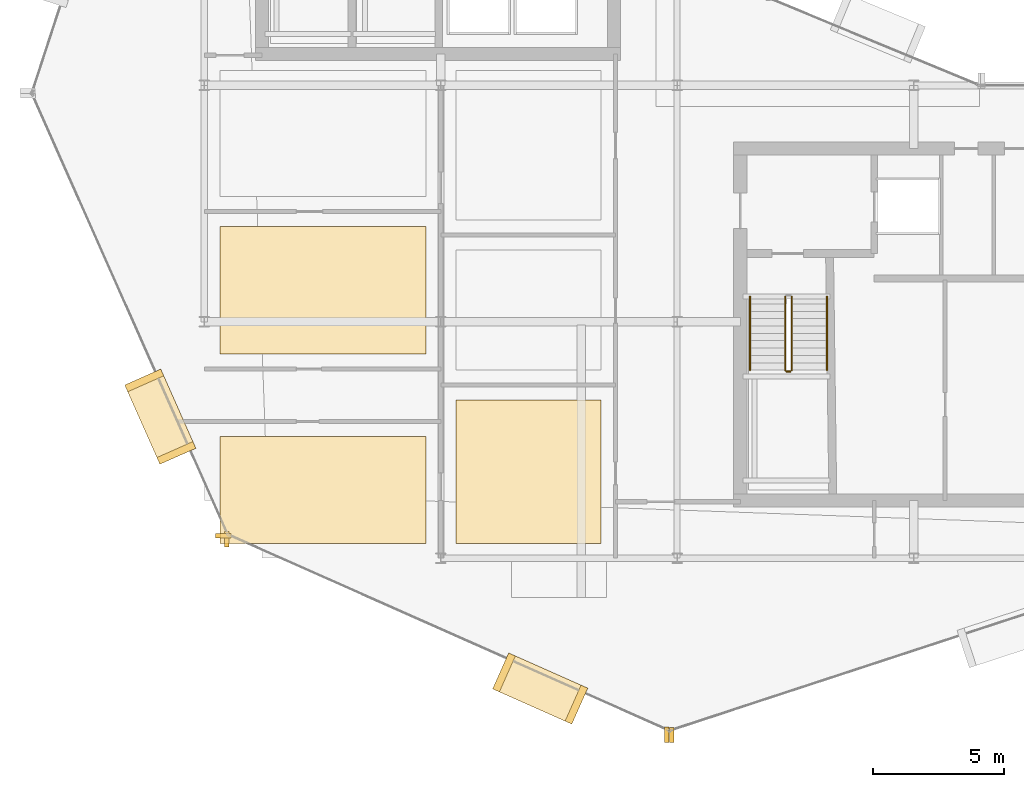
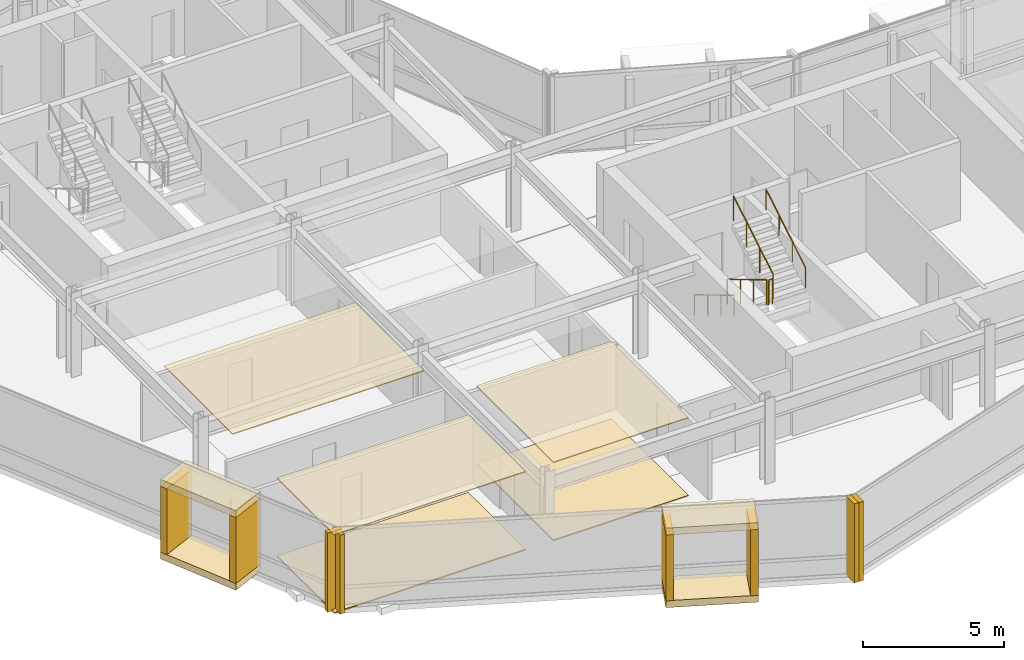
# One storey, part 23 of 28: 17 coverings, 5 railings.
"""IFC4 building model written with IfcOpenShell, lengths in metres."""

from ifc_helpers import new_model, si_unit, direction, frame, origin, origin_2d, place, context, subcontext, project, spatial, polyline, rectangle, circle, outline, extrude, material, layer, layer_set, type_object, element, save


model = new_model("IFC4")

# Units and contexts
model_context = context("Model", 3, precision=1e-05, world=origin(), true_north=direction((0.0, 1.0)))
body_context = subcontext(model_context, "Body", "Model", "MODEL_VIEW")
ifc_project = project(units=[si_unit("LENGTHUNIT", "METRE"), si_unit("AREAUNIT", "SQUARE_METRE"), si_unit("VOLUMEUNIT", "CUBIC_METRE"), si_unit("PLANEANGLEUNIT", "RADIAN"), si_unit("MASSUNIT", "GRAM", prefix="KILO")], contexts=[model_context])

# Site, building, storey
site_placement = place(None, origin())
site = spatial("IfcSite", under=ifc_project, at=site_placement, CompositionType="ELEMENT")
building_placement = place(site_placement, origin())
building = spatial("IfcBuilding", under=site, at=building_placement, Name="Solvaryn Broadcast Tower", CompositionType="ELEMENT")
storey_placement = place(building_placement, frame((0.0, 0.0, 217.300048828125)))
storey = spatial("IfcBuildingStorey", under=building, at=storey_placement, Name="L54", CompositionType="ELEMENT", Elevation=217.300048828125)

# Coverings
ifc_material_1 = material(Name="Micro-Perforated Acoustic Gypsum Ceiling", Category="concrete")
ifc_layer_1 = layer(ifc_material_1, 0.0400390625)
ifc_layer_set_1 = layer_set([ifc_layer_1], Name="CV-CEIL-ACOUSTIC")
covering_type_1 = type_object("IfcCoveringType", Name="CV-CEIL-ACOUSTIC", PredefinedType="CEILING", material=ifc_layer_set_1)
covering_1_placement = place(storey_placement, frame((0.0, 0.0, 3.3798828125)))
element("IfcCovering", 1, at=covering_1_placement, inside=storey, type_object=covering_type_1, Name="L54 Room Acoustic Ceiling 1", PredefinedType="CEILING", context=body_context, shape_type="SweptSolid", body=[
    extrude(outline(polyline([(18.570068359375, 9.570068359375), (24.10009765625, 9.570068359375), (24.10009765625, 15.030029296875), (18.570068359375, 15.030029296875), (18.570068359375, 9.570068359375)])), origin(), (0.0, 0.0, 1.0), 0.0400390625),
])
covering_2_placement = place(storey_placement, frame((0.0, 0.0, 3.3798828125)))
element("IfcCovering", 2, at=covering_2_placement, inside=storey, type_object=covering_type_1, Name="L54 Room Acoustic Ceiling 4", PredefinedType="CEILING", context=body_context, shape_type="SweptSolid", body=[
    extrude(outline(polyline([(9.60009765625, 9.570068359375), (17.429931640625, 9.570068359375), (17.429931640625, 13.6298828125), (9.60009765625, 13.6298828125), (9.60009765625, 9.570068359375)])), origin(), (0.0, 0.0, 1.0), 0.0400390625),
])
covering_3_placement = place(storey_placement, frame((0.0, 0.0, 3.3798828125)))
element("IfcCovering", 3, at=covering_3_placement, inside=storey, type_object=covering_type_1, Name="L54 Room Acoustic Ceiling 5", PredefinedType="CEILING", context=body_context, shape_type="SweptSolid", body=[
    extrude(outline(polyline([(9.60009765625, 16.77001953125), (17.429931640625, 16.77001953125), (17.429931640625, 21.6298828125), (9.60009765625, 21.6298828125), (9.60009765625, 16.77001953125)])), origin(), (0.0, 0.0, 1.0), 0.0400390625),
])
ifc_material_2 = material(Name="Newsroom Raised Data Access Flooring", Category="steel")
ifc_layer_2 = layer(ifc_material_2, 0.050048828125)
ifc_layer_set_2 = layer_set([ifc_layer_2], Name="CV-FLOOR-RAISED")
covering_type_2 = type_object("IfcCoveringType", Name="CV-FLOOR-RAISED", PredefinedType="FLOORING", material=ifc_layer_set_2)
covering_4_placement = place(storey_placement, origin())
element("IfcCovering", 4, at=covering_4_placement, inside=storey, type_object=covering_type_2, Name="L54 Room Acoustic Floor Finish 1", PredefinedType="FLOORING", context=body_context, shape_type="SweptSolid", body=[
    extrude(outline(polyline([(18.570068359375, 9.570068359375), (24.10009765625, 9.570068359375), (24.10009765625, 15.030029296875), (18.570068359375, 15.030029296875), (18.570068359375, 9.570068359375)])), origin(), (0.0, 0.0, 1.0), 0.050048828125),
])
covering_5_placement = place(storey_placement, origin())
element("IfcCovering", 5, at=covering_5_placement, inside=storey, type_object=covering_type_2, Name="L54 Room Acoustic Floor Finish 4", PredefinedType="FLOORING", context=body_context, shape_type="SweptSolid", body=[
    extrude(outline(polyline([(9.60009765625, 9.570068359375), (17.429931640625, 9.570068359375), (17.429931640625, 13.6298828125), (9.60009765625, 13.6298828125), (9.60009765625, 9.570068359375)])), origin(), (0.0, 0.0, 1.0), 0.050048828125),
])
ifc_material_3 = material(Name="Glazed Architectural Terracotta Rainscreen Cladding", Category="masonry")
ifc_layer_3 = layer(ifc_material_3, 0.280029296875)
ifc_layer_set_3 = layer_set([ifc_layer_3], Name="CV-TC-CLAD")
covering_type_3 = type_object("IfcCoveringType", Name="CV-TC-CLAD", PredefinedType="CLADDING", material=ifc_layer_set_3)
for number, where, z_axis, x_axis, name in (
    (6, (7.322998046875, 14.388916015625, 3.1298828125), (0.0, 0.0, 1.0), (0.405939269498, -0.913900054426, 0.0), "L54 Projecting Stone Window Box Hood 2"),
    (7, (7.322998046875, 14.388916015625, -0.01025390625), (0.0, 0.0, 1.0), (0.405939269498, -0.913900054426, 0.0), "L54 Projecting Stone Window Box Sill 2"),
):
    element("IfcCovering", number, at=place(storey_placement, frame(where, z_axis=z_axis, x_axis=x_axis)), inside=storey, type_object=covering_type_3, Name=name, PredefinedType="CLADDING", context=body_context, shape_type="SweptSolid", body=[
        extrude(rectangle(XDim=3.300048828125, YDim=1.5, at=origin_2d()), origin(), (0.0, 0.0, 1.0), 0.300048828125),
    ])
for number, where, z_axis, x_axis, name in (
    (8, (6.7099609375, 15.76904296875, 0.27978515625), (0.0, 0.0, 1.0), (0.405939269498, -0.913900054426, 0.0), "L54 Projecting Stone Window Box Cheek 2-1"),
    (9, (7.93603515625, 13.009033203125, 0.27978515625), (0.0, 0.0, 1.0), (0.405939269498, -0.913900054426, 0.0), "L54 Projecting Stone Window Box Cheek 2-2"),
):
    element("IfcCovering", number, at=place(storey_placement, frame(where, z_axis=z_axis, x_axis=x_axis)), inside=storey, type_object=covering_type_3, Name=name, PredefinedType="CLADDING", context=body_context, shape_type="SweptSolid", body=[
        extrude(rectangle(XDim=0.280029296875, YDim=1.5, at=origin_2d()), origin(), (0.0, 0.0, 1.0), 2.860107421875),
    ])
for number, where, z_axis, x_axis, name in (
    (10, (21.784912109375, 4.0390625, 3.1298828125), (0.0, 0.0, 1.0), (0.913900054426, -0.405939269498, 0.0), "L54 Projecting Stone Window Box Hood 3"),
    (11, (21.784912109375, 4.0390625, -0.01025390625), (0.0, 0.0, 1.0), (0.913900054426, -0.405939269498, 0.0), "L54 Projecting Stone Window Box Sill 3"),
):
    element("IfcCovering", number, at=place(storey_placement, frame(where, z_axis=z_axis, x_axis=x_axis)), inside=storey, type_object=covering_type_3, Name=name, PredefinedType="CLADDING", context=body_context, shape_type="SweptSolid", body=[
        extrude(rectangle(XDim=3.300048828125, YDim=1.5, at=origin_2d()), origin(), (0.0, 0.0, 1.0), 0.300048828125),
    ])
for number, where, z_axis, x_axis, name in (
    (12, (20.405029296875, 4.652099609375, 0.27978515625), (0.0, 0.0, 1.0), (0.913900054426, -0.405939269498, 0.0), "L54 Projecting Stone Window Box Cheek 3-1"),
    (13, (23.1650390625, 3.426025390625, 0.27978515625), (0.0, 0.0, 1.0), (0.913900054426, -0.405939269498, 0.0), "L54 Projecting Stone Window Box Cheek 3-2"),
):
    element("IfcCovering", number, at=place(storey_placement, frame(where, z_axis=z_axis, x_axis=x_axis)), inside=storey, type_object=covering_type_3, Name=name, PredefinedType="CLADDING", context=body_context, shape_type="SweptSolid", body=[
        extrude(rectangle(XDim=0.280029296875, YDim=1.5, at=origin_2d()), origin(), (0.0, 0.0, 1.0), 2.860107421875),
    ])
ifc_material_4 = material(Name="Extruded Architectural Terracotta Fin", Category="masonry")
ifc_layer_4 = layer(ifc_material_4, 0.179931640625)
ifc_layer_set_4 = layer_set([ifc_layer_4], Name="CV-TC-FIN")
covering_type_4 = type_object("IfcCoveringType", Name="CV-TC-FIN", PredefinedType="USERDEFINED", material=ifc_layer_set_4)
covering_6_placement = place(storey_placement, frame((9.7216796875, 9.852783203125, 0.0), z_axis=(0.0, 0.0, 1.0), x_axis=(1.0, 0.0, 0.0)))
element("IfcCovering", 14, at=covering_6_placement, inside=storey, type_object=covering_type_4, Name="L54 Terracotta Vertical Fin FIN-L54-DR2-M01", ObjectType="FIN", PredefinedType="USERDEFINED", context=body_context, shape_type="SweptSolid", body=[
    extrude(rectangle(XDim=0.580078125, YDim=0.179931640625, at=origin_2d()), origin(), (0.0, 0.0, 1.0), 3.419921875),
])
for number, where, z_axis, x_axis, name in (
    (15, (9.852783203125, 9.7216796875, 0.0), (0.0, 0.0, 1.0), (1.0, 0.0, 0.0), "L54 Terracotta Vertical Fin FIN-L54-DR3-M00"),
    (16, (26.605712890625, 2.281005859375, 0.0), (0.0, 0.0, 1.0), (1.0, 0.0, 0.0), "L54 Terracotta Vertical Fin FIN-L54-DR3-M01"),
    (17, (26.790771484375, 2.271240234375, 0.0), (0.0, 0.0, 1.0), (1.0, 0.0, 0.0), "L54 Terracotta Vertical Fin FIN-L54-DR4-M00"),
):
    element("IfcCovering", number, at=place(storey_placement, frame(where, z_axis=z_axis, x_axis=x_axis)), inside=storey, type_object=covering_type_4, Name=name, ObjectType="FIN", PredefinedType="USERDEFINED", context=body_context, shape_type="SweptSolid", body=[
        extrude(rectangle(XDim=0.179931640625, YDim=0.580078125, at=origin_2d()), origin(), (0.0, 0.0, 1.0), 3.419921875),
    ])

# Railings
ifc_material_5 = material(Name="Painted Steel Stair Well Guard", Category="steel")
railing_type_1 = type_object("IfcRailingType", Name="RL-STAIR-GUARD", PredefinedType="BALUSTRADE", material=ifc_material_5)
railing_1_placement = place(storey_placement, frame((31.110107421875, 18.9599609375, 0.168212890625)))
element("IfcRailing", 18, at=railing_1_placement, inside=storey, type_object=railing_type_1, Name="L54 ST3 stair guard 1", PredefinedType="BALUSTRADE", context=body_context, shape_type="SweptSolid", body=[
    extrude(circle(Radius=0.02392578125, at=origin_2d()), frame((0.0, 0.0, 1.076171875), z_axis=(0.0, -0.857275202839, 0.514858452973), x_axis=(1.0, 0.0, 0.0)), (0.0, 0.0, 1.0), 3.26611328125),
    extrude(circle(Radius=0.02099609375, at=origin_2d()), origin(), (0.0, 0.0, 1.0), 1.052001953125),
    extrude(circle(Radius=0.02099609375, at=origin_2d()), frame((0.0, -0.933349609375, 0.560546875)), (0.0, 0.0, 1.0), 1.052001953125),
    extrude(circle(Radius=0.02099609375, at=origin_2d()), frame((0.0, -1.86669921875, 1.12109375)), (0.0, 0.0, 1.0), 1.052001953125),
    extrude(circle(Radius=0.02099609375, at=origin_2d()), frame((0.0, -2.800048828125, 1.681640625)), (0.0, 0.0, 1.0), 1.052001953125),
])
railing_2_placement = place(storey_placement, frame((31.159912109375, 16.110107421875, 1.849853515625)))
element("IfcRailing", 19, at=railing_2_placement, inside=storey, type_object=railing_type_1, Name="L54 ST3 stair guard 2", PredefinedType="BALUSTRADE", context=body_context, shape_type="SweptSolid", body=[
    extrude(circle(Radius=0.02392578125, at=origin_2d()), frame((0.0, 0.0, 1.076171875), z_axis=(1.0, 0.0, 0.0), x_axis=(0.0, 1.0, 0.0)), (0.0, 0.0, 1.0), 0.150146484375),
    extrude(circle(Radius=0.02099609375, at=origin_2d()), origin(), (0.0, 0.0, 1.0), 1.052001953125),
    extrude(circle(Radius=0.02099609375, at=origin_2d()), frame((0.150146484375, 0.0, 0.0)), (0.0, 0.0, 1.0), 1.052001953125),
])
railing_3_placement = place(storey_placement, frame((31.360107421875, 16.159912109375, 2.01806640625)))
element("IfcRailing", 20, at=railing_3_placement, inside=storey, type_object=railing_type_1, Name="L54 ST3 stair guard 3", PredefinedType="BALUSTRADE", context=body_context, shape_type="SweptSolid", body=[
    extrude(circle(Radius=0.02392578125, at=origin_2d()), frame((0.0, 0.0, 1.076171875), z_axis=(0.0, 0.857242210791, 0.514913383045), x_axis=(-1.0, 0.0, 0.0)), (0.0, 0.0, 1.0), 3.266357421875),
    extrude(circle(Radius=0.02099609375, at=origin_2d()), origin(), (0.0, 0.0, 1.0), 1.052001953125),
    extrude(circle(Radius=0.02099609375, at=origin_2d()), frame((0.0, 0.933349609375, 0.560546875)), (0.0, 0.0, 1.0), 1.052001953125),
    extrude(circle(Radius=0.02099609375, at=origin_2d()), frame((0.0, 1.86669921875, 1.121337890625)), (0.0, 0.0, 1.0), 1.052001953125),
    extrude(circle(Radius=0.02099609375, at=origin_2d()), frame((0.0, 2.800048828125, 1.681884765625)), (0.0, 0.0, 1.0), 1.052001953125),
])
ifc_material_6 = material(Name="Brushed Stainless Steel Tubular Handrail", Category="steel")
railing_type_2 = type_object("IfcRailingType", Name="RL-STAIR-HANDRAIL", PredefinedType="HANDRAIL", material=ifc_material_6)
railing_4_placement = place(storey_placement, frame((29.77001953125, 18.9599609375, 0.168212890625)))
element("IfcRailing", 21, at=railing_4_placement, inside=storey, type_object=railing_type_2, Name="L54 ST3 stair handrail 1", PredefinedType="HANDRAIL", context=body_context, shape_type="SweptSolid", body=[
    extrude(circle(Radius=0.02392578125, at=origin_2d()), frame((0.0, 0.0, 0.8759765625), z_axis=(0.0, -0.857275202839, 0.514858452973), x_axis=(1.0, 0.0, 0.0)), (0.0, 0.0, 1.0), 3.26611328125),
    extrude(circle(Radius=0.02099609375, at=origin_2d()), origin(), (0.0, 0.0, 1.0), 0.851806640625),
    extrude(circle(Radius=0.02099609375, at=origin_2d()), frame((0.0, -0.933349609375, 0.560546875)), (0.0, 0.0, 1.0), 0.851806640625),
    extrude(circle(Radius=0.02099609375, at=origin_2d()), frame((0.0, -1.86669921875, 1.12109375)), (0.0, 0.0, 1.0), 0.851806640625),
    extrude(circle(Radius=0.02099609375, at=origin_2d()), frame((0.0, -2.800048828125, 1.681640625)), (0.0, 0.0, 1.0), 0.851806640625),
])
railing_5_placement = place(storey_placement, frame((32.699951171875, 16.159912109375, 2.01806640625)))
element("IfcRailing", 22, at=railing_5_placement, inside=storey, type_object=railing_type_2, Name="L54 ST3 stair handrail 2", PredefinedType="HANDRAIL", context=body_context, shape_type="SweptSolid", body=[
    extrude(circle(Radius=0.02392578125, at=origin_2d()), frame((0.0, 0.0, 0.8759765625), z_axis=(0.0, 0.857242210791, 0.514913383045), x_axis=(-1.0, 0.0, 0.0)), (0.0, 0.0, 1.0), 3.266357421875),
    extrude(circle(Radius=0.02099609375, at=origin_2d()), origin(), (0.0, 0.0, 1.0), 0.851806640625),
    extrude(circle(Radius=0.02099609375, at=origin_2d()), frame((0.0, 0.933349609375, 0.560546875)), (0.0, 0.0, 1.0), 0.851806640625),
    extrude(circle(Radius=0.02099609375, at=origin_2d()), frame((0.0, 1.86669921875, 1.121337890625)), (0.0, 0.0, 1.0), 0.851806640625),
    extrude(circle(Radius=0.02099609375, at=origin_2d()), frame((0.0, 2.800048828125, 1.681884765625)), (0.0, 0.0, 1.0), 0.851806640625),
])

save(model, "model.ifc")
